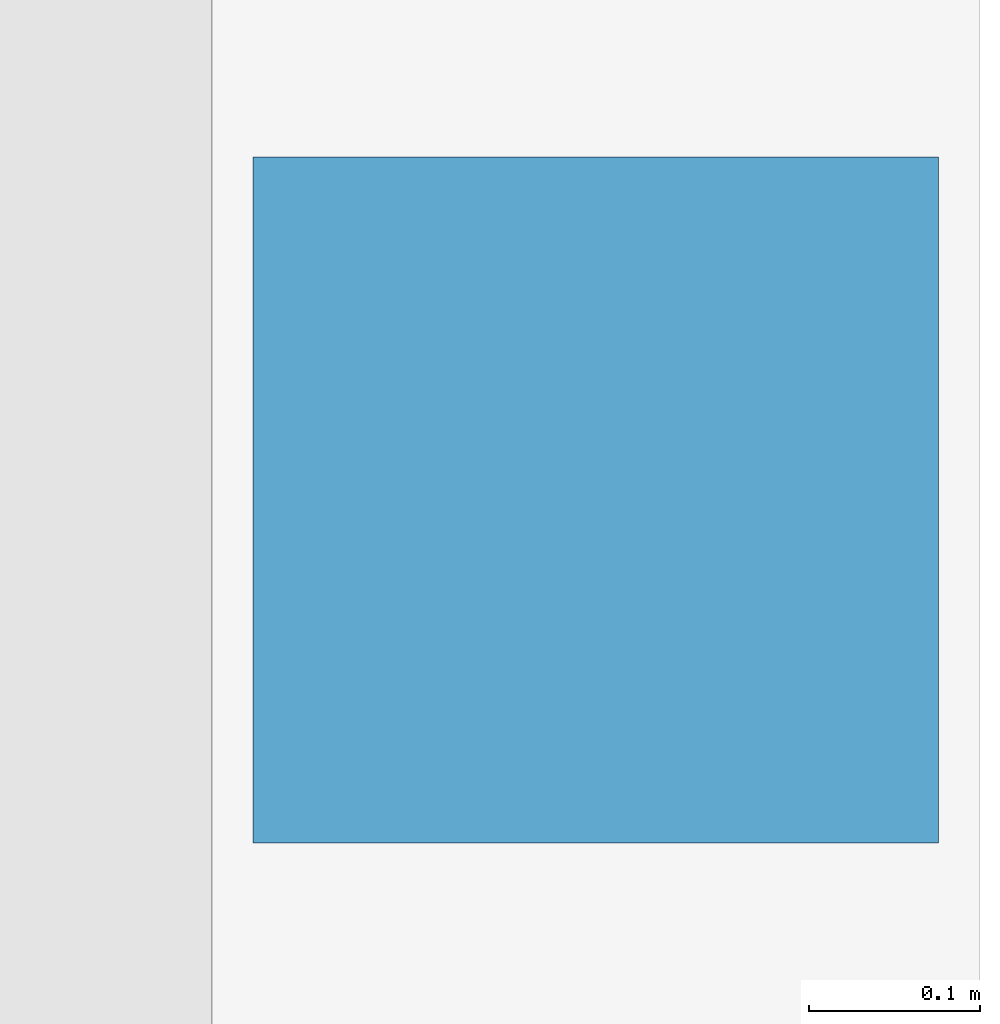
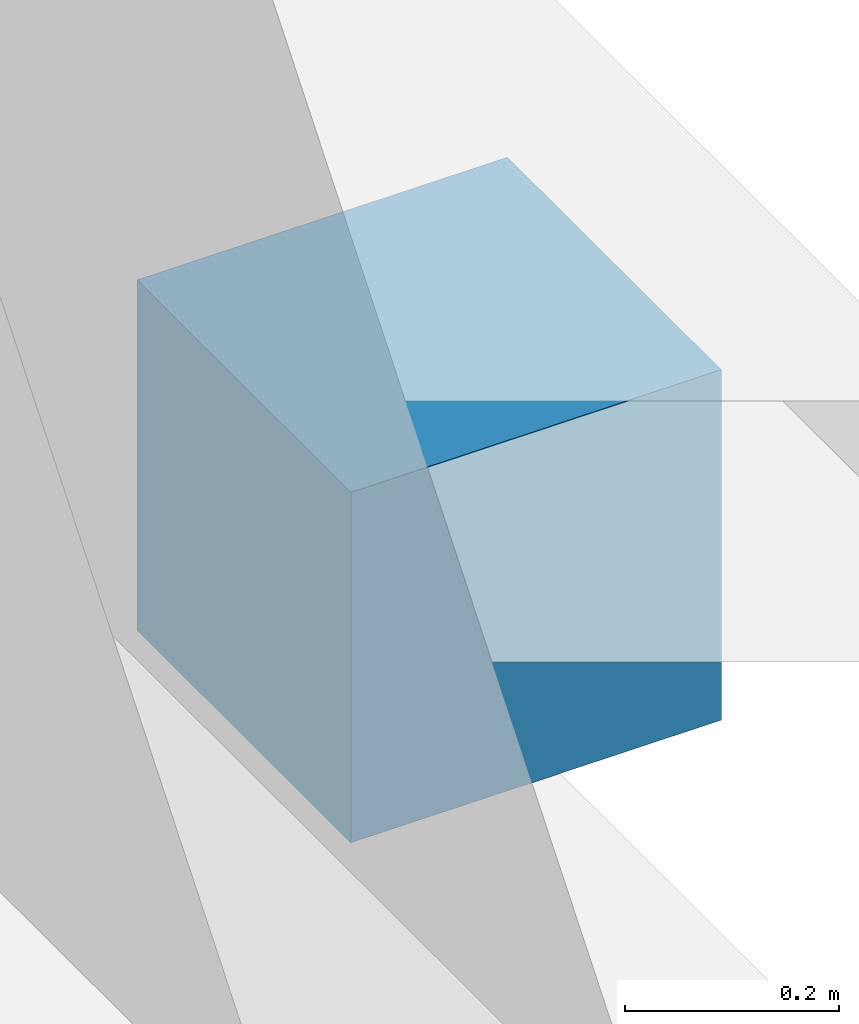
# One storey, part 9 of 108: 1 footing.
"""IFC4 building model written with IfcOpenShell, lengths in metres."""

from ifc_helpers import new_model, si_unit, direction, frame, origin, origin_2d, place, context, subcontext, project, spatial, rectangle, extrude, material, type_object, element, save


model = new_model("IFC4")

# Units and contexts
model_context = context("Model", 3, precision=1e-05, world=origin(), true_north=direction((0.0, 1.0)))
body_context = subcontext(model_context, "Body", "Model", "MODEL_VIEW")
ifc_project = project(units=[si_unit("LENGTHUNIT", "METRE"), si_unit("AREAUNIT", "SQUARE_METRE"), si_unit("VOLUMEUNIT", "CUBIC_METRE"), si_unit("PLANEANGLEUNIT", "RADIAN"), si_unit("MASSUNIT", "GRAM", prefix="KILO")], contexts=[model_context])

# Site, building, storey
site_placement = place(None, origin())
site = spatial("IfcSite", under=ifc_project, at=site_placement, CompositionType="ELEMENT")
building_placement = place(site_placement, origin())
building = spatial("IfcBuilding", under=site, at=building_placement, Name="Cresset Court Congress Hotel", CompositionType="ELEMENT")
storey_placement = place(building_placement, origin())
storey = spatial("IfcBuildingStorey", under=building, at=storey_placement, Name="L00", CompositionType="ELEMENT", Elevation=0.0)

# Footing
ifc_material = material(Name="Concrete C35", Category="concrete")
footing_type = type_object("IfcFootingType", Name="Support pad 400x400", PredefinedType="PAD_FOOTING", material=ifc_material)
footing_placement = place(storey_placement, frame((185.27392578125, 117.78173828125, -1.199951171875), z_axis=(0.0, 0.0, 1.0), x_axis=(1.0, 0.0, 0.0)))
element("IfcFooting", 1, at=footing_placement, inside=storey, type_object=footing_type, Name="Kerb pad E06.3", PredefinedType="PAD_FOOTING", context=body_context, shape_type="SweptSolid", body=[
    extrude(rectangle(XDim=0.39990234375, YDim=0.39990234375, at=origin_2d()), origin(), (0.0, 0.0, 1.0), 0.39990234375),
])

save(model, "model.ifc")
